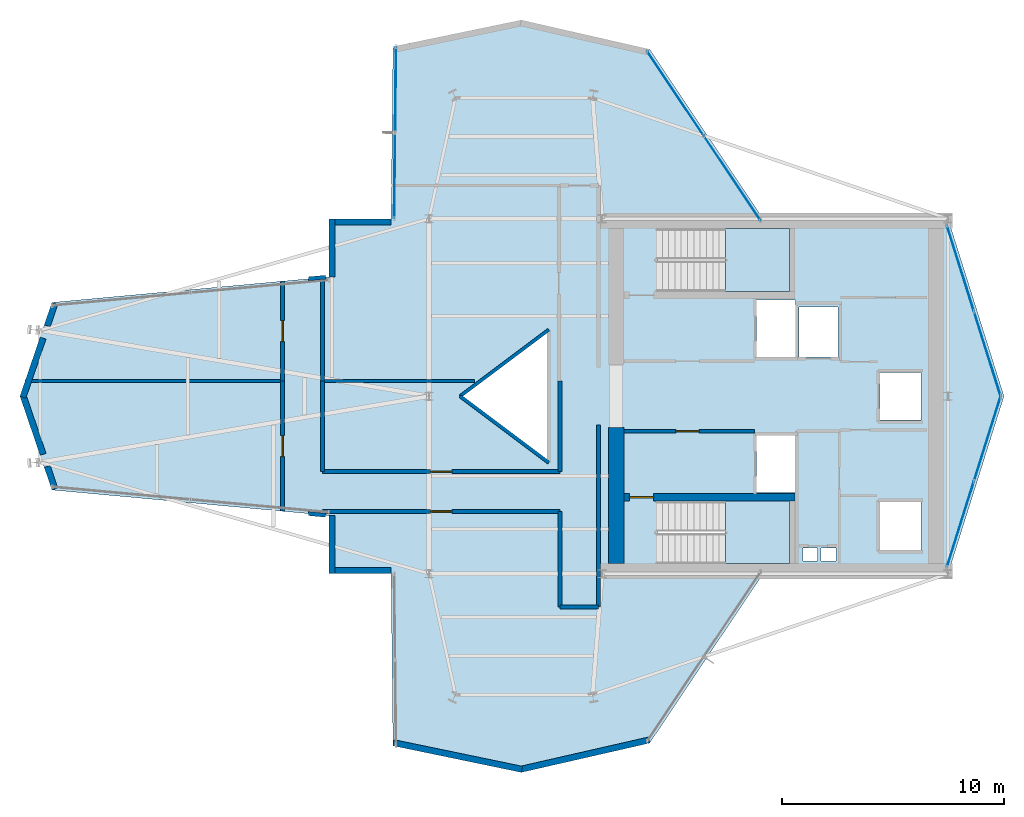
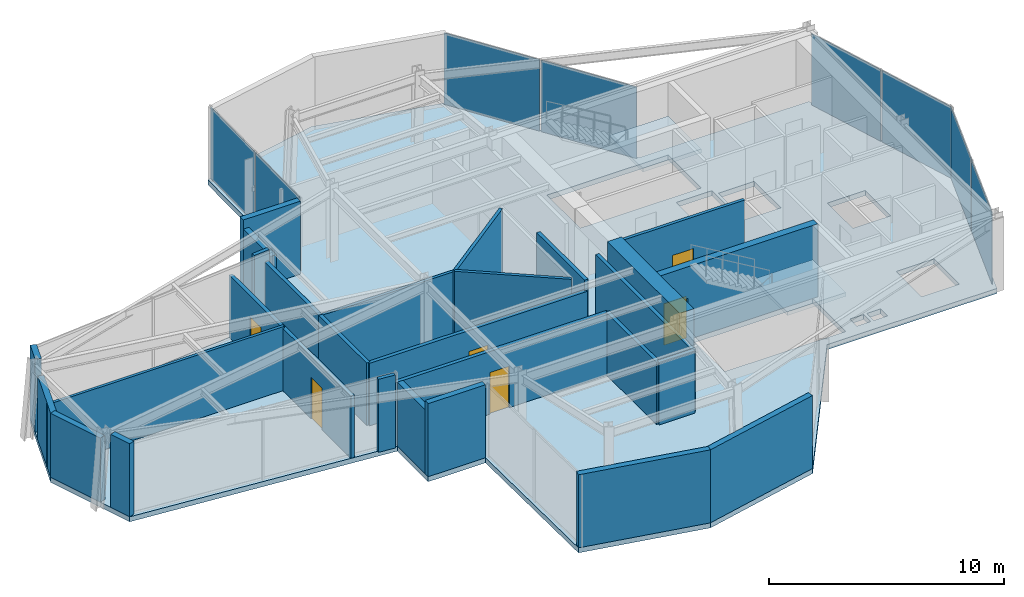
# One storey, part 18 of 21: 29 walls, 8 plates, 6 doors, 3 slabs, 6 openings, 6 elements without a shape of their own.
"""IFC4 building model written with IfcOpenShell, lengths in metres."""

import ifcopenshell
import ifcopenshell.guid

model = None  # the IFC model being written
_history = None  # IfcOwnerHistory: only IFC2X3 demands one
_inside = {}  # id of a spatial element -> (the spatial element, [elements in it])
_under = {}  # id of a project, library or spatial element -> (it, [spatial elements below it])
_declared = {}  # id of a project -> (the project, [libraries it declares])
_typed = {}  # id of a type object -> (the type object, [elements of that type])
_made_of = {}  # id of a material, layer set ... -> (it, [elements and type objects made of it])


def new_model(schema):
    """Start an empty IFC model of exactly this schema.

    Asked for "IFC4X3", IfcOpenShell would pick the latest addendum, in which some entities
    have other attributes; the version numbers below select the first issue.
    IFC2X3 requires an IfcOwnerHistory on every rooted entity: one is made here for all.
    """
    global model, _history
    if schema == "IFC4X3":
        model = ifcopenshell.file(schema_version=(4, 3, 0, 0))
    else:
        model = ifcopenshell.file(schema=schema)
    _inside.clear()
    _under.clear()
    _declared.clear()
    _typed.clear()
    _made_of.clear()
    _history = None
    if model.schema == "IFC2X3":
        org = make("IfcOrganization", Name="unknown")
        user = make(
            "IfcPersonAndOrganization",
            ThePerson=make("IfcPerson", FamilyName="unknown"),
            TheOrganization=org,
        )
        app = make(
            "IfcApplication",
            ApplicationDeveloper=org,
            Version="unknown",
            ApplicationFullName="unknown",
            ApplicationIdentifier="unknown",
        )
        _history = make(
            "IfcOwnerHistory",
            OwningUser=user,
            OwningApplication=app,
            ChangeAction="ADDED",
            CreationDate=0,
        )
    return model


def make(cls, **values):
    """One entity of the class cls with the attributes given. An attribute that is None is left unset."""
    return model.create_entity(
        cls, **{name: value for name, value in values.items() if value is not None}
    )


def rooted(cls, **values):
    """An entity with a GlobalId (a new one), such as an element, a storey or a relation."""
    return make(cls, GlobalId=ifcopenshell.guid.new(), OwnerHistory=_history, **values)


def si_unit(unit_type, name, prefix=None):
    """IfcSIUnit, for example si_unit("LENGTHUNIT", "METRE", prefix="MILLI")."""
    return make("IfcSIUnit", UnitType=unit_type, Prefix=prefix, Name=name)


def assignment(units):
    """IfcUnitAssignment: the units of a project."""
    return None if units is None else make("IfcUnitAssignment", Units=units)


def point(xyz):
    """IfcCartesianPoint."""
    return None if xyz is None else make("IfcCartesianPoint", Coordinates=xyz)


def direction(xyz):
    """IfcDirection."""
    return None if xyz is None else make("IfcDirection", DirectionRatios=xyz)


def frame(location, z_axis=None, x_axis=None):
    """IfcAxis2Placement3D, a coordinate frame: its origin and axes. An axis left out is left unset."""
    return make(
        "IfcAxis2Placement3D",
        Location=point(location),
        Axis=direction(z_axis),
        RefDirection=direction(x_axis),
    )


def frame_2d(location, x_axis=None):
    """IfcAxis2Placement2D, a coordinate frame in the plane: its origin and x axis."""
    return make(
        "IfcAxis2Placement2D", Location=point(location), RefDirection=direction(x_axis)
    )


def origin():
    """The frame at (0, 0, 0) with its axes left unset."""
    return frame((0.0, 0.0, 0.0))


def origin_2d():
    """The frame at (0, 0) in the plane with its x axis left unset."""
    return frame_2d((0.0, 0.0))


def place(relative_to, where):
    """IfcLocalPlacement: puts the frame where relative to a parent placement (None: the world)."""
    return make(
        "IfcLocalPlacement", PlacementRelTo=relative_to, RelativePlacement=where
    )


def context(
    kind, dimensions, precision=None, world=None, true_north=None, identifier=None
):
    """IfcGeometricRepresentationContext, for example the 3D "Model" context."""
    return make(
        "IfcGeometricRepresentationContext",
        ContextIdentifier=identifier,
        ContextType=kind,
        CoordinateSpaceDimension=dimensions,
        Precision=precision,
        WorldCoordinateSystem=world,
        TrueNorth=true_north,
    )


def subcontext(parent, identifier, kind, view, scale=None):
    """IfcGeometricRepresentationSubContext, for example "Body" below "Model"."""
    return make(
        "IfcGeometricRepresentationSubContext",
        ContextIdentifier=identifier,
        ContextType=kind,
        ParentContext=parent,
        TargetScale=scale,
        TargetView=view,
    )


def project(units=None, contexts=None):
    """IfcProject with its units and contexts."""
    return rooted(
        "IfcProject",
        Name="project",
        RepresentationContexts=contexts,
        UnitsInContext=assignment(units),
    )


def spatial(cls, under=None, at=None, **own):
    """A site, building, storey or space (cls), placed at a placement, below another one or the project."""
    s = rooted(cls, ObjectPlacement=at, **own)
    if under is not None:
        _under.setdefault(under.id(), (under, []))[1].append(s)
    return s


def polyline(points):
    """IfcPolyline through the points."""
    return make("IfcPolyline", Points=[point(p) for p in points])


def profile(cls, at=None, kind="AREA", **sizes):
    """A parametric profile (cls). Its sizes go by their IFC names, for example OverallWidth=200.0."""
    return make(cls, ProfileType=kind, Position=at, **sizes)


def rectangle(**sizes):
    """IfcRectangleProfileDef."""
    return profile("IfcRectangleProfileDef", **sizes)


def outline(outer, holes=None, kind="AREA"):
    """IfcArbitraryClosedProfileDef: a profile drawn as a closed curve; with holes, ...WithVoids."""
    if holes is None:
        return make("IfcArbitraryClosedProfileDef", ProfileType=kind, OuterCurve=outer)
    return make(
        "IfcArbitraryProfileDefWithVoids",
        ProfileType=kind,
        OuterCurve=outer,
        InnerCurves=holes,
    )


def extrude(swept, where, along, depth):
    """IfcExtrudedAreaSolid: the profile swept, set in the frame where, extruded along a direction by depth."""
    return make(
        "IfcExtrudedAreaSolid",
        SweptArea=swept,
        Position=where,
        ExtrudedDirection=direction(along),
        Depth=depth,
    )


def shape(context_of_items, identifier, shape_type, items):
    """IfcShapeRepresentation: the items that make up one representation, for example the "Body"."""
    return make(
        "IfcShapeRepresentation",
        ContextOfItems=context_of_items,
        RepresentationIdentifier=identifier,
        RepresentationType=shape_type,
        Items=items,
    )


def material(Name=None, Category=None):
    """IfcMaterial."""
    return make("IfcMaterial", Name=Name, Category=Category)


def layer(
    of_material, thickness, ventilated=None, Name=None, Category=None, Priority=None
):
    """IfcMaterialLayer: one layer of a wall or slab, of a material (None: an air gap)."""
    return make(
        "IfcMaterialLayer",
        Material=of_material,
        LayerThickness=thickness,
        IsVentilated=ventilated,
        Name=Name,
        Category=Category,
        Priority=Priority,
    )


def layer_set(layers, Name=None):
    """IfcMaterialLayerSet."""
    return make("IfcMaterialLayerSet", MaterialLayers=layers, LayerSetName=Name)


def made_of(thing, what):
    """Note that an element or type object is made of a material, layer set ...; save() writes the relation."""
    if what is not None:
        _made_of.setdefault(what.id(), (what, []))[1].append(thing)
    return thing


def type_object(cls, material=None, **own):
    """A type object (cls), such as IfcWallType, which elements share."""
    return made_of(rooted(cls, **own), material)


def element(
    cls,
    number,
    at=None,
    inside=None,
    cuts=None,
    type_object=None,
    material=None,
    context=None,
    identifier="Body",
    shape_type=None,
    held_by="IfcProductDefinitionShape",
    body=None,
    shapes=None,
    **own,
):
    """One element of the class cls, such as IfcWall. Its Tag is "e" and its number.

    at: its placement. inside: the storey or other place that contains it. cuts: it is an
    opening in that element (IfcRelVoidsElement). A single representation is given by context,
    identifier, shape_type and body (its items); several are given by shapes. held_by: the class
    of the entity that holds the representations. save() writes the other relations.
    """
    e = rooted(cls, Tag="e%d" % number, ObjectPlacement=at, **own)
    if body is not None:
        shapes = [shape(context, identifier, shape_type, body)]
    if shapes is not None:
        e.Representation = make(held_by, Representations=shapes)
    if inside is not None:
        _inside.setdefault(inside.id(), (inside, []))[1].append(e)
    if cuts is not None:
        rooted(
            "IfcRelVoidsElement", RelatingBuildingElement=cuts, RelatedOpeningElement=e
        )
    if type_object is not None:
        _typed.setdefault(type_object.id(), (type_object, []))[1].append(e)
    return made_of(e, material)


def fill(opening, filler):
    """IfcRelFillsElement: the door or window that sits in an opening."""
    return rooted(
        "IfcRelFillsElement",
        RelatingOpeningElement=opening,
        RelatedBuildingElement=filler,
    )


def aggregate(whole, parts):
    """IfcRelAggregates: a whole, such as a stair, and the parts it consists of."""
    return rooted("IfcRelAggregates", RelatingObject=whole, RelatedObjects=parts)


def save(model, path):
    """Write the relations noted so far, then the file.

    IfcRelAggregates (storeys below a building ...), IfcRelContainedInSpatialStructure (elements
    in a storey), IfcRelDefinesByType, IfcRelAssociatesMaterial and IfcRelDeclares: one each for
    every whole, place, type object, material and project.
    """
    for whole, parts in _under.values():
        aggregate(whole, parts)
    for where, things in _inside.values():
        rooted(
            "IfcRelContainedInSpatialStructure",
            RelatedElements=things,
            RelatingStructure=where,
        )
    for kind, things in _typed.values():
        rooted("IfcRelDefinesByType", RelatedObjects=things, RelatingType=kind)
    for what, things in _made_of.values():
        rooted("IfcRelAssociatesMaterial", RelatedObjects=things, RelatingMaterial=what)
    for by, libraries in _declared.values():
        rooted("IfcRelDeclares", RelatingContext=by, RelatedDefinitions=libraries)
    model.write(path)


model = new_model("IFC4")

# Units and contexts
model_context = context("Model", 3, precision=1e-05, world=origin(), true_north=direction((0.0, 1.0)))
body_context = subcontext(model_context, "Body", "Model", "MODEL_VIEW")
ifc_project = project(units=[si_unit("LENGTHUNIT", "METRE"), si_unit("AREAUNIT", "SQUARE_METRE"), si_unit("VOLUMEUNIT", "CUBIC_METRE"), si_unit("PLANEANGLEUNIT", "RADIAN"), si_unit("MASSUNIT", "GRAM", prefix="KILO")], contexts=[model_context])

# Site, building, storey
site_placement = place(None, origin())
site = spatial("IfcSite", under=ifc_project, at=site_placement, CompositionType="ELEMENT")
building_placement = place(site_placement, origin())
building = spatial("IfcBuilding", under=site, at=building_placement, Name="Veymaron Broadcast Tower", CompositionType="ELEMENT")
storey_placement = place(building_placement, frame((0.0, 0.0, 212.10009765625)))
storey = spatial("IfcBuildingStorey", under=building, at=storey_placement, Name="L49", CompositionType="ELEMENT", Elevation=212.10009765625)

# Curtain wall, plates
ifc_material_1 = material(Name="Anodised aluminium AA 6063-T6 and laminated low-E dark glass", Category="aluminium")
ifc_layer_1 = layer(ifc_material_1, 0.179931640625)
ifc_layer_set_1 = layer_set([ifc_layer_1], Name="Anodised aluminium AA 6063-T6 and laminated low-E dark glass")
curtain_wall_type = type_object("IfcCurtainWallType", Name="CW-SYS-05", PredefinedType="NOTDEFINED", material=ifc_layer_set_1)
curtain_wall_1_placement = place(storey_placement, origin())
curtain_wall_1 = element("IfcCurtainWall", 1, at=curtain_wall_1_placement, inside=storey, type_object=curtain_wall_type, Name="L49 dark-glass curtain wall CW-L49-E2-1", PredefinedType="NOTDEFINED")
ifc_material_2 = material(Name="Double-silver solar-control dark glass IGU 32 mm", Category="glass")
ifc_layer_2 = layer(ifc_material_2, 0.031982421875)
ifc_layer_set_2 = layer_set([ifc_layer_2], Name="Double-silver solar-control dark glass IGU 32 mm")
plate_type = type_object("IfcPlateType", Name="CW-PNL-02", PredefinedType="CURTAIN_PANEL", material=ifc_layer_set_2)
plate_1_placement = place(storey_placement, frame((55.154296875, 18.225341796875, 0.0400390625), z_axis=(0.0, 0.0, 1.0), x_axis=(0.300456106688, 0.953795642658, 0.0)))
plate_1 = element("IfcPlate", 2, at=plate_1_placement, type_object=plate_type, Name="CW-L49-E2-1 unitised curtain panel 0", PredefinedType="CURTAIN_PANEL", context=body_context, shape_type="SweptSolid", body=[
    extrude(rectangle(XDim=4.005615234375, YDim=0.031982421875, at=origin_2d()), origin(), (0.0, 0.0, 1.0), 3.7099609375),
])
plate_2_placement = place(storey_placement, frame((56.375732421875, 22.10302734375, 0.0400390625), z_axis=(0.0, 0.0, 1.0), x_axis=(0.300456106688, 0.953795642658, 0.0)))
plate_2 = element("IfcPlate", 3, at=plate_2_placement, type_object=plate_type, Name="CW-L49-E2-1 unitised curtain panel 1", PredefinedType="CURTAIN_PANEL", context=body_context, shape_type="SweptSolid", body=[
    extrude(rectangle(XDim=4.005615234375, YDim=0.031982421875, at=origin_2d()), origin(), (0.0, 0.0, 1.0), 3.7099609375),
])
aggregate(curtain_wall_1, [plate_1, plate_2])

curtain_wall_2_placement = place(storey_placement, origin())
curtain_wall_2 = element("IfcCurtainWall", 4, at=curtain_wall_2_placement, inside=storey, type_object=curtain_wall_type, Name="L49 dark-glass curtain wall CW-L49-E3-1", PredefinedType="NOTDEFINED")
plate_3_placement = place(storey_placement, frame((56.375732421875, 25.89697265625, 0.0400390625), z_axis=(0.0, 0.0, 1.0), x_axis=(-0.300456106688, 0.953795642658, 0.0)))
plate_3 = element("IfcPlate", 5, at=plate_3_placement, type_object=plate_type, Name="CW-L49-E3-1 unitised curtain panel 0", PredefinedType="CURTAIN_PANEL", context=body_context, shape_type="SweptSolid", body=[
    extrude(rectangle(XDim=4.005615234375, YDim=0.031982421875, at=origin_2d()), origin(), (0.0, 0.0, 1.0), 3.7099609375),
])
plate_4_placement = place(storey_placement, frame((55.154296875, 29.774658203125, 0.0400390625), z_axis=(0.0, 0.0, 1.0), x_axis=(-0.300456106688, 0.953795642658, 0.0)))
plate_4 = element("IfcPlate", 6, at=plate_4_placement, type_object=plate_type, Name="CW-L49-E3-1 unitised curtain panel 1", PredefinedType="CURTAIN_PANEL", context=body_context, shape_type="SweptSolid", body=[
    extrude(rectangle(XDim=4.005615234375, YDim=0.031982421875, at=origin_2d()), origin(), (0.0, 0.0, 1.0), 3.7099609375),
])
aggregate(curtain_wall_2, [plate_3, plate_4])

curtain_wall_3_placement = place(storey_placement, origin())
curtain_wall_3 = element("IfcCurtainWall", 7, at=curtain_wall_3_placement, inside=storey, type_object=curtain_wall_type, Name="L49 dark-glass curtain wall CW-L49-E5-1", PredefinedType="NOTDEFINED")
plate_5_placement = place(storey_placement, frame((44.867919921875, 33.83203125, 0.0400390625), z_axis=(0.0, 0.0, 1.0), x_axis=(-0.556658147909, 0.830741660426, 0.0)))
plate_5 = element("IfcPlate", 8, at=plate_5_placement, type_object=plate_type, Name="CW-L49-E5-1 unitised curtain panel 0", PredefinedType="CURTAIN_PANEL", context=body_context, shape_type="SweptSolid", body=[
    extrude(rectangle(XDim=4.538330078125, YDim=0.031982421875, at=origin_2d()), origin(), (0.0, 0.0, 1.0), 3.7099609375),
])
plate_6_placement = place(storey_placement, frame((42.30810546875, 37.652099609375, 0.0400390625), z_axis=(0.0, 0.0, 1.0), x_axis=(-0.556658147909, 0.830741660426, 0.0)))
plate_6 = element("IfcPlate", 9, at=plate_6_placement, type_object=plate_type, Name="CW-L49-E5-1 unitised curtain panel 1", PredefinedType="CURTAIN_PANEL", context=body_context, shape_type="SweptSolid", body=[
    extrude(rectangle(XDim=4.538330078125, YDim=0.031982421875, at=origin_2d()), origin(), (0.0, 0.0, 1.0), 3.7099609375),
])
aggregate(curtain_wall_3, [plate_5, plate_6])

curtain_wall_4_placement = place(storey_placement, origin())
curtain_wall_4 = element("IfcCurtainWall", 10, at=curtain_wall_4_placement, inside=storey, type_object=curtain_wall_type, Name="L49 dark-glass curtain wall CW-L49-E8-1", PredefinedType="NOTDEFINED")
plate_7_placement = place(storey_placement, frame((29.69384765625, 37.818359375, 0.0400390625), z_axis=(0.0, 0.0, 1.0), x_axis=(-0.011152422724, -0.9999378098, 0.0)))
plate_7 = element("IfcPlate", 11, at=plate_7_placement, type_object=plate_type, Name="CW-L49-E8-1 unitised curtain panel 0", PredefinedType="CURTAIN_PANEL", context=body_context, shape_type="SweptSolid", body=[
    extrude(rectangle(XDim=3.8203125, YDim=0.031982421875, at=origin_2d()), origin(), (0.0, 0.0, 1.0), 3.7099609375),
])
plate_8_placement = place(storey_placement, frame((29.650634765625, 33.9384765625, 0.0400390625), z_axis=(0.0, 0.0, 1.0), x_axis=(-0.011152422724, -0.9999378098, 0.0)))
plate_8 = element("IfcPlate", 12, at=plate_8_placement, type_object=plate_type, Name="CW-L49-E8-1 unitised curtain panel 1", PredefinedType="CURTAIN_PANEL", context=body_context, shape_type="SweptSolid", body=[
    extrude(rectangle(XDim=3.8203125, YDim=0.031982421875, at=origin_2d()), origin(), (0.0, 0.0, 1.0), 3.7099609375),
])
aggregate(curtain_wall_4, [plate_7, plate_8])

# Slab
ifc_material_3 = material(Name="Concrete C40/50", Category="concrete")
ifc_layer_3 = layer(ifc_material_3, 0.260009765625)
ifc_layer_set_3 = layer_set([ifc_layer_3], Name="Concrete C40/50")
slab_type_1 = type_object("IfcSlabType", Name="SLAB-FS5", PredefinedType="FLOOR", material=ifc_layer_set_3)
slab_1_placement = place(storey_placement, frame((0.0, 0.0, -0.260009765625)))
element("IfcSlab", 13, at=slab_1_placement, inside=storey, type_object=slab_type_1, Name="L49 structural floor slab", PredefinedType="FLOOR", context=body_context, shape_type="SweptSolid", body=[
    extrude(outline(polyline([(46.263916015625, 16.0), (54.60009765625, 16.0), (57.1201171875, 24.0), (54.60009765625, 32.0), (46.263916015625, 32.0), (41.14453125, 39.639892578125), (35.360107421875, 40.9599609375), (29.575439453125, 39.760009765625), (29.489013671875, 32.0), (26.679931640625, 32.0), (26.679931640625, 29.377685546875), (14.199951171875, 28.22705078125), (12.760009765625, 24.0), (14.199951171875, 19.77294921875), (26.679931640625, 18.622314453125), (26.679931640625, 16.0), (29.489013671875, 16.0), (29.575439453125, 8.239990234375), (35.360107421875, 7.0400390625), (41.14453125, 8.360107421875), (46.263916015625, 16.0)]), holes=[polyline([(45.969970703125, 28.330078125), (47.72998046875, 28.330078125), (47.72998046875, 25.77001953125), (45.969970703125, 25.77001953125), (45.969970703125, 28.330078125)]), polyline([(45.969970703125, 22.22998046875), (47.72998046875, 22.22998046875), (47.72998046875, 19.669921875), (45.969970703125, 19.669921875), (45.969970703125, 22.22998046875)]), polyline([(47.8701171875, 28.030029296875), (49.6298828125, 28.030029296875), (49.6298828125, 25.77001953125), (47.8701171875, 25.77001953125), (47.8701171875, 28.030029296875)]), polyline([(51.52001953125, 25.080078125), (53.3798828125, 25.080078125), (53.3798828125, 22.919921875), (51.52001953125, 22.919921875), (51.52001953125, 25.080078125)]), polyline([(51.52001953125, 19.22998046875), (53.3798828125, 19.22998046875), (53.3798828125, 17.070068359375), (51.52001953125, 17.070068359375), (51.52001953125, 19.22998046875)]), polyline([(48.050048828125, 17.159912109375), (48.719970703125, 17.159912109375), (48.719970703125, 16.56005859375), (48.050048828125, 16.56005859375), (48.050048828125, 17.159912109375)]), polyline([(48.8798828125, 17.159912109375), (49.550048828125, 17.159912109375), (49.550048828125, 16.56005859375), (48.8798828125, 16.56005859375), (48.8798828125, 17.159912109375)]), polyline([(36.60009765625, 27.0), (36.60009765625, 21.0), (32.60009765625, 24.0), (36.60009765625, 27.0)]), polyline([(41.489990234375, 31.550048828125), (47.43994140625, 31.550048828125), (47.43994140625, 28.72998046875), (41.489990234375, 28.72998046875), (41.489990234375, 31.550048828125)]), polyline([(41.489990234375, 19.27001953125), (47.43994140625, 19.27001953125), (47.43994140625, 16.449951171875), (41.489990234375, 16.449951171875), (41.489990234375, 19.27001953125)])]), origin(), (0.0, 0.0, 1.0), 0.260009765625),
])

# Stair, slab
ifc_material_4 = material(Name="Concrete C50/60", Category="concrete")
stair_type_1 = type_object("IfcStairType", Name="STAIR-CORE-1", PredefinedType="HALF_TURN_STAIR", material=ifc_material_4)
stair_1_placement = place(storey_placement, origin())
stair_1 = element("IfcStair", 14, at=stair_1_placement, inside=storey, type_object=stair_type_1, Name="L49 North protected dog-leg exit stair ST1", PredefinedType="HALF_TURN_STAIR")
ifc_layer_4 = layer(ifc_material_4, 0.199951171875)
ifc_layer_set_4 = layer_set([ifc_layer_4], Name="Concrete C50/60")
slab_type_2 = type_object("IfcSlabType", Name="SLAB-STAIR-LDG", PredefinedType="LANDING", material=ifc_layer_set_4)
slab_2_placement = place(storey_placement, frame((0.0, 0.0, 1.824951171875)))
slab_2 = element("IfcSlab", 15, at=slab_2_placement, type_object=slab_type_2, Name="ST1 landing 1", PredefinedType="LANDING", context=body_context, shape_type="SweptSolid", body=[
    extrude(outline(polyline([(44.56494140625, 28.72998046875), (47.43994140625, 28.72998046875), (47.43994140625, 31.550048828125), (44.56494140625, 31.550048828125), (44.56494140625, 28.72998046875)])), origin(), (0.0, 0.0, 1.0), 0.199951171875),
])
aggregate(stair_1, [slab_2])

stair_type_2 = type_object("IfcStairType", Name="STAIR-CORE-2", PredefinedType="HALF_TURN_STAIR", material=ifc_material_4)
stair_2_placement = place(storey_placement, origin())
stair_2 = element("IfcStair", 16, at=stair_2_placement, inside=storey, type_object=stair_type_2, Name="L49 South protected dog-leg exit stair ST2", PredefinedType="HALF_TURN_STAIR")
slab_3_placement = place(storey_placement, frame((0.0, 0.0, 1.824951171875)))
slab_3 = element("IfcSlab", 17, at=slab_3_placement, type_object=slab_type_2, Name="ST2 landing 1", PredefinedType="LANDING", context=body_context, shape_type="SweptSolid", body=[
    extrude(outline(polyline([(44.56494140625, 16.449951171875), (47.43994140625, 16.449951171875), (47.43994140625, 19.27001953125), (44.56494140625, 19.27001953125), (44.56494140625, 16.449951171875)])), origin(), (0.0, 0.0, 1.0), 0.199951171875),
])
aggregate(stair_2, [slab_3])

# Walls
ifc_material_5 = material(Name="Precast concrete C40/50", Category="concrete")
ifc_layer_5 = layer(ifc_material_5, 0.280029296875)
ifc_layer_set_5 = layer_set([ifc_layer_5], Name="Precast concrete C40/50")
wall_type_1 = type_object("IfcWallType", Name="WALL-EXT-280", PredefinedType="STANDARD", material=ifc_layer_set_5)
wall_1_placement = place(storey_placement, frame((29.489013671875, 31.860107421875, 0.0), z_axis=(0.0, 0.0, 1.0), x_axis=(-1.0, 0.0, 0.0)))
element("IfcWall", 18, at=wall_1_placement, inside=storey, type_object=wall_type_1, Name="L49 notched corner facade pier 9-1", PredefinedType="STANDARD", context=body_context, shape_type="SweptSolid", body=[
    extrude(rectangle(XDim=2.80908203125, YDim=0.280029296875, at=frame_2d((1.404541015625, 0.0))), origin(), (0.0, 0.0, 1.0), 3.789794921875),
])
wall_2_placement = place(storey_placement, frame((26.820068359375, 32.0, 0.0), z_axis=(0.0, 0.0, 1.0), x_axis=(0.0, -1.0, 0.0)))
element("IfcWall", 19, at=wall_2_placement, inside=storey, type_object=wall_type_1, Name="L49 notched corner facade pier 10-1", PredefinedType="STANDARD", context=body_context, shape_type="SweptSolid", body=[
    extrude(rectangle(XDim=2.622314453125, YDim=0.280029296875, at=frame_2d((1.31103515625, 0.0))), origin(), (0.0, 0.0, 1.0), 3.31884765625),
])
wall_3_placement = place(storey_placement, frame((14.33251953125, 28.181884765625, 0.0), z_axis=(0.0, 0.0, 1.0), x_axis=(-0.322534198724, -0.946557811575, 0.0)))
element("IfcWall", 20, at=wall_3_placement, inside=storey, type_object=wall_type_1, Name="L49 notched corner facade pier 12-1", PredefinedType="STANDARD", context=body_context, shape_type="SweptSolid", body=[
    extrude(rectangle(XDim=1.0673828125, YDim=0.280029296875, at=frame_2d((0.53369140625, 0.0))), origin(), (0.0, 0.0, 1.0), 3.789794921875),
])
for number, where, z_axis, x_axis, name in (
    (21, (13.801025390625, 26.6220703125, 0.0), (0.0, 0.0, 1.0), (-0.322407523514, -0.946600965973, 0.0), "L49 notched corner facade pier 12-2"),
    (22, (12.892578125, 24.045166015625, 0.0), (0.0, 0.0, 1.0), (0.322407523514, -0.946600965973, 0.0), "L49 notched corner facade pier 13-1"),
):
    element("IfcWall", number, at=place(storey_placement, frame(where, z_axis=z_axis, x_axis=x_axis)), inside=storey, type_object=wall_type_1, Name=name, PredefinedType="STANDARD", context=body_context, shape_type="SweptSolid", body=[
        extrude(rectangle(XDim=2.817626953125, YDim=0.280029296875, at=frame_2d((1.40869140625, 0.0))), origin(), (0.0, 0.0, 1.0), 3.31884765625),
    ])
wall_4_placement = place(storey_placement, frame((13.98828125, 20.828369140625, 0.0), z_axis=(0.0, 0.0, 1.0), x_axis=(0.322534198724, -0.946557811575, 0.0)))
element("IfcWall", 23, at=wall_4_placement, inside=storey, type_object=wall_type_1, Name="L49 notched corner facade pier 13-2", PredefinedType="STANDARD", context=body_context, shape_type="SweptSolid", body=[
    extrude(rectangle(XDim=1.0673828125, YDim=0.280029296875, at=frame_2d((0.53369140625, 0.0))), origin(), (0.0, 0.0, 1.0), 3.789794921875),
])
wall_5_placement = place(storey_placement, frame((26.820068359375, 18.622314453125, 0.0), z_axis=(0.0, 0.0, 1.0), x_axis=(0.0, -1.0, 0.0)))
element("IfcWall", 24, at=wall_5_placement, inside=storey, type_object=wall_type_1, Name="L49 notched corner facade pier 15-1", PredefinedType="STANDARD", context=body_context, shape_type="SweptSolid", body=[
    extrude(rectangle(XDim=2.622314453125, YDim=0.280029296875, at=frame_2d((1.31103515625, 0.0))), origin(), (0.0, 0.0, 1.0), 3.31884765625),
])
wall_6_placement = place(storey_placement, frame((26.679931640625, 16.139892578125, 0.0), z_axis=(0.0, 0.0, 1.0), x_axis=(1.0, 0.0, 0.0)))
element("IfcWall", 25, at=wall_6_placement, inside=storey, type_object=wall_type_1, Name="L49 notched corner facade pier 16-1", PredefinedType="STANDARD", context=body_context, shape_type="SweptSolid", body=[
    extrude(rectangle(XDim=2.80908203125, YDim=0.280029296875, at=frame_2d((1.404541015625, 0.0))), origin(), (0.0, 0.0, 1.0), 3.789794921875),
])
wall_7_placement = place(storey_placement, frame((29.60400390625, 8.377197265625, 0.0), z_axis=(0.0, 0.0, 1.0), x_axis=(0.979145472124, -0.203160390873, 0.0)))
element("IfcWall", 26, at=wall_7_placement, inside=storey, type_object=wall_type_1, Name="L49 notched corner facade pier 18-1", PredefinedType="STANDARD", context=body_context, shape_type="SweptSolid", body=[
    extrude(rectangle(XDim=5.90771484375, YDim=0.280029296875, at=frame_2d((2.953857421875, 0.0))), origin(), (0.0, 0.0, 1.0), 3.789794921875),
])
wall_8_placement = place(storey_placement, frame((35.328857421875, 7.176513671875, 0.0), z_axis=(0.0, 0.0, 1.0), x_axis=(0.974934808954, 0.222490715064, 0.0)))
element("IfcWall", 27, at=wall_8_placement, inside=storey, type_object=wall_type_1, Name="L49 notched corner facade pier 19-1", PredefinedType="STANDARD", context=body_context, shape_type="SweptSolid", body=[
    extrude(rectangle(XDim=5.93310546875, YDim=0.280029296875, at=frame_2d((2.966552734375, 0.0))), origin(), (0.0, 0.0, 1.0), 3.789794921875),
])

# Wall, opening, door
ifc_material_6 = material(Name="Gypsum fireboard and steel stud framing", Category="steel")
ifc_layer_6 = layer(ifc_material_6, 0.14990234375)
ifc_layer_set_6 = layer_set([ifc_layer_6], Name="Gypsum fireboard and steel stud framing")
wall_type_2 = type_object("IfcWallType", Name="WALL-FIRE-150", PredefinedType="PARTITIONING", material=ifc_layer_set_6)
wall_9_placement = place(storey_placement, frame((39.97998046875, 22.425048828125, 0.0), z_axis=(0.0, 0.0, 1.0), x_axis=(1.0, 0.0, 0.0)))
wall_9 = element("IfcWall", 28, at=wall_9_placement, inside=storey, type_object=wall_type_2, Name="L49 partition IW-L49-FFLS-N", PredefinedType="PARTITIONING", context=body_context, shape_type="SweptSolid", body=[
    extrude(rectangle(XDim=5.89990234375, YDim=0.14990234375, at=frame_2d((2.949951171875, 0.0))), origin(), (0.0, 0.0, 1.0), 3.789794921875),
])
opening_1_placement = place(wall_9_placement, frame((2.35009765625, 0.0, 0.0)))
opening_1 = element("IfcOpeningElement", 29, at=opening_1_placement, cuts=wall_9, Name="Opening ID-FL1", PredefinedType="OPENING", context=body_context, shape_type="SweptSolid", body=[
    extrude(rectangle(XDim=1.050048828125, YDim=2.14990234375, at=frame_2d((0.52490234375, 1.074951171875))), frame((0.0, 0.0849609375, 0.0), z_axis=(0.0, -1.0, 0.0), x_axis=(1.0, 0.0, 0.0)), (0.0, 0.0, 1.0), 0.169921875),
])
ifc_material_7 = material(Name="Fire-rated painted hollow steel ASTM A653", Category="steel")
door_type_1 = type_object("IfcDoorType", Name="DOOR-FIRE-1050", OperationType="NOTDEFINED", PredefinedType="DOOR", material=ifc_material_7)
door_1_placement = place(opening_1_placement, frame((1.050048828125, 0.0, 0.0), z_axis=(0.0, 0.0, 1.0), x_axis=(-1.0, 0.0, 0.0)))
door_1 = element("IfcDoor", 30, at=door_1_placement, inside=storey, type_object=door_type_1, Name="L49 door DR-L49-FFLS", OperationType="SINGLE_SWING_RIGHT", OverallHeight=2.14990234375, OverallWidth=1.050048828125, PredefinedType="DOOR", context=body_context, shape_type="SweptSolid", body=[
    extrude(rectangle(XDim=1.050048828125, YDim=2.14990234375, at=frame_2d((0.52490234375, 1.074951171875))), frame((0.0, 0.02490234375, 0.0), z_axis=(0.0, -1.0, 0.0), x_axis=(1.0, 0.0, 0.0)), (0.0, 0.0, 1.0), 0.050048828125),
])
fill(opening_1, door_1)

ifc_layer_7 = layer(ifc_material_3, 0.179931640625)
ifc_layer_set_7 = layer_set([ifc_layer_7], Name="Concrete C40/50")
wall_type_3 = type_object("IfcWallType", Name="WALL-FIRE-180", PredefinedType="SOLIDWALL", material=ifc_layer_set_7)
wall_10_placement = place(storey_placement, frame((26.39990234375, 18.800048828125, 0.0), z_axis=(0.0, 0.0, 1.0), x_axis=(1.0, 0.0, 0.0)))
wall_10 = element("IfcWall", 31, at=wall_10_placement, inside=storey, type_object=wall_type_3, Name="L49 partition IW-L49-P01", PredefinedType="SOLIDWALL", context=body_context, shape_type="SweptSolid", body=[
    extrude(rectangle(XDim=10.7001953125, YDim=0.179931640625, at=frame_2d((5.35009765625, 0.0))), origin(), (0.0, 0.0, 1.0), 3.240966796875),
])
opening_2_placement = place(wall_10_placement, frame((4.875, 0.0, 0.0)))
opening_2 = element("IfcOpeningElement", 32, at=opening_2_placement, cuts=wall_10, Name="Opening ID-RM1", PredefinedType="OPENING", context=body_context, shape_type="SweptSolid", body=[
    extrude(rectangle(XDim=0.949951171875, YDim=2.14990234375, at=frame_2d((0.47509765625, 1.074951171875))), frame((0.0, 0.10009765625, 0.0), z_axis=(0.0, -1.0, 0.0), x_axis=(1.0, 0.0, 0.0)), (0.0, 0.0, 1.0), 0.199951171875),
])
ifc_material_8 = material(Name="Acoustic solid-core European oak veneer timber", Category="wood")
door_type_2 = type_object("IfcDoorType", Name="DOOR-INT-950", OperationType="NOTDEFINED", PredefinedType="DOOR", material=ifc_material_8)
door_2_placement = place(opening_2_placement, frame((0.949951171875, 0.0, 0.0), z_axis=(0.0, 0.0, 1.0), x_axis=(-1.0, 0.0, 0.0)))
door_2 = element("IfcDoor", 33, at=door_2_placement, inside=storey, type_object=door_type_2, Name="L49 door DR-L49-P01", OperationType="SINGLE_SWING_RIGHT", OverallHeight=2.14990234375, OverallWidth=0.949951171875, PredefinedType="DOOR", context=body_context, shape_type="SweptSolid", body=[
    extrude(rectangle(XDim=0.949951171875, YDim=2.14990234375, at=frame_2d((0.47509765625, 1.074951171875))), frame((0.0, 0.02490234375, 0.0), z_axis=(0.0, -1.0, 0.0), x_axis=(1.0, 0.0, 0.0)), (0.0, 0.0, 1.0), 0.050048828125),
])
fill(opening_2, door_2)

wall_11_placement = place(storey_placement, frame((24.60009765625, 18.814208984375, 0.0), z_axis=(0.0, 0.0, 1.0), x_axis=(0.0, 1.0, 0.0)))
wall_11 = element("IfcWall", 34, at=wall_11_placement, inside=storey, type_object=wall_type_3, Name="L49 partition IW-L49-P06", PredefinedType="SOLIDWALL", context=body_context, shape_type="SweptSolid", body=[
    extrude(rectangle(XDim=5.86376953125, YDim=0.179931640625, at=frame_2d((2.931884765625, 0.0))), origin(), (0.0, 0.0, 1.0), 3.240966796875),
])
opening_3_placement = place(wall_11_placement, frame((2.45703125, 0.0, 0.0)))
opening_3 = element("IfcOpeningElement", 35, at=opening_3_placement, cuts=wall_11, Name="Opening ID-RM1", PredefinedType="OPENING", context=body_context, shape_type="SweptSolid", body=[
    extrude(rectangle(XDim=0.949951171875, YDim=2.14990234375, at=frame_2d((0.47509765625, 1.074951171875))), frame((0.0, 0.10009765625, 0.0), z_axis=(0.0, -1.0, 0.0), x_axis=(1.0, 0.0, 0.0)), (0.0, 0.0, 1.0), 0.199951171875),
])
door_3_placement = place(opening_3_placement, origin())
door_3 = element("IfcDoor", 36, at=door_3_placement, inside=storey, type_object=door_type_2, Name="L49 door DR-L49-P06", OperationType="SINGLE_SWING_LEFT", OverallHeight=2.14990234375, OverallWidth=0.949951171875, PredefinedType="DOOR", context=body_context, shape_type="SweptSolid", body=[
    extrude(rectangle(XDim=0.949951171875, YDim=2.14990234375, at=frame_2d((0.47509765625, 1.074951171875))), frame((0.0, 0.02490234375, 0.0), z_axis=(0.0, -1.0, 0.0), x_axis=(1.0, 0.0, 0.0)), (0.0, 0.0, 1.0), 0.050048828125),
])
fill(opening_3, door_3)

wall_12_placement = place(storey_placement, frame((26.39990234375, 20.60009765625, 0.0), z_axis=(0.0, 0.0, 1.0), x_axis=(1.0, 0.0, 0.0)))
wall_12 = element("IfcWall", 37, at=wall_12_placement, inside=storey, type_object=wall_type_3, Name="L49 partition IW-L49-P07", PredefinedType="SOLIDWALL", context=body_context, shape_type="SweptSolid", body=[
    extrude(rectangle(XDim=10.7001953125, YDim=0.179931640625, at=frame_2d((5.35009765625, 0.0))), origin(), (0.0, 0.0, 1.0), 3.240966796875),
])
opening_4_placement = place(wall_12_placement, frame((4.875, 0.0, 0.0)))
opening_4 = element("IfcOpeningElement", 38, at=opening_4_placement, cuts=wall_12, Name="Opening ID-RM1", PredefinedType="OPENING", context=body_context, shape_type="SweptSolid", body=[
    extrude(rectangle(XDim=0.949951171875, YDim=2.14990234375, at=frame_2d((0.47509765625, 1.074951171875))), frame((0.0, 0.10009765625, 0.0), z_axis=(0.0, -1.0, 0.0), x_axis=(1.0, 0.0, 0.0)), (0.0, 0.0, 1.0), 0.199951171875),
])
door_4_placement = place(opening_4_placement, origin())
door_4 = element("IfcDoor", 39, at=door_4_placement, inside=storey, type_object=door_type_2, Name="L49 door DR-L49-P07", OperationType="SINGLE_SWING_RIGHT", OverallHeight=2.14990234375, OverallWidth=0.949951171875, PredefinedType="DOOR", context=body_context, shape_type="SweptSolid", body=[
    extrude(rectangle(XDim=0.949951171875, YDim=2.14990234375, at=frame_2d((0.47509765625, 1.074951171875))), frame((0.0, 0.02490234375, 0.0), z_axis=(0.0, -1.0, 0.0), x_axis=(1.0, 0.0, 0.0)), (0.0, 0.0, 1.0), 0.050048828125),
])
fill(opening_4, door_4)

wall_13_placement = place(storey_placement, frame((24.60009765625, 24.677978515625, 0.0), z_axis=(0.0, 0.0, 1.0), x_axis=(0.0, 1.0, 0.0)))
wall_13 = element("IfcWall", 40, at=wall_13_placement, inside=storey, type_object=wall_type_3, Name="L49 partition IW-L49-P10", PredefinedType="SOLIDWALL", context=body_context, shape_type="SweptSolid", body=[
    extrude(rectangle(XDim=4.5078125, YDim=0.179931640625, at=frame_2d((2.25390625, 0.0))), origin(), (0.0, 0.0, 1.0), 3.240966796875),
])
opening_5_placement = place(wall_13_placement, frame((1.77880859375, 0.0, 0.0)))
opening_5 = element("IfcOpeningElement", 41, at=opening_5_placement, cuts=wall_13, Name="Opening ID-RM1", PredefinedType="OPENING", context=body_context, shape_type="SweptSolid", body=[
    extrude(rectangle(XDim=0.949951171875, YDim=2.14990234375, at=frame_2d((0.47509765625, 1.074951171875))), frame((0.0, 0.10009765625, 0.0), z_axis=(0.0, -1.0, 0.0), x_axis=(1.0, 0.0, 0.0)), (0.0, 0.0, 1.0), 0.199951171875),
])
door_5_placement = place(opening_5_placement, origin())
door_5 = element("IfcDoor", 42, at=door_5_placement, inside=storey, type_object=door_type_2, Name="L49 door DR-L49-P10", OperationType="SINGLE_SWING_LEFT", OverallHeight=2.14990234375, OverallWidth=0.949951171875, PredefinedType="DOOR", context=body_context, shape_type="SweptSolid", body=[
    extrude(rectangle(XDim=0.949951171875, YDim=2.14990234375, at=frame_2d((0.47509765625, 1.074951171875))), frame((0.0, 0.02490234375, 0.0), z_axis=(0.0, -1.0, 0.0), x_axis=(1.0, 0.0, 0.0)), (0.0, 0.0, 1.0), 0.050048828125),
])
fill(opening_5, door_5)

# Walls
wall_14_placement = place(storey_placement, frame((38.85009765625, 14.5, 0.0), z_axis=(0.0, 0.0, 1.0), x_axis=(0.0, 1.0, 0.0)))
element("IfcWall", 43, at=wall_14_placement, inside=storey, type_object=wall_type_3, Name="L49 partition IW-L49-P02", PredefinedType="SOLIDWALL", context=body_context, shape_type="SweptSolid", body=[
    extrude(rectangle(XDim=8.199951171875, YDim=0.179931640625, at=frame_2d((4.10009765625, 0.0))), origin(), (0.0, 0.0, 1.0), 3.240966796875),
])
wall_15_placement = place(storey_placement, frame((37.10009765625, 14.5, 0.0), z_axis=(0.0, 0.0, 1.0), x_axis=(0.0, 1.0, 0.0)))
element("IfcWall", 44, at=wall_15_placement, inside=storey, type_object=wall_type_3, Name="L49 partition IW-L49-P03", PredefinedType="SOLIDWALL", context=body_context, shape_type="SweptSolid", body=[
    extrude(rectangle(XDim=4.300048828125, YDim=0.179931640625, at=frame_2d((2.14990234375, 0.0))), origin(), (0.0, 0.0, 1.0), 3.240966796875),
])
wall_16_placement = place(storey_placement, frame((37.10009765625, 14.5, 0.0), z_axis=(0.0, 0.0, 1.0), x_axis=(1.0, 0.0, 0.0)))
element("IfcWall", 45, at=wall_16_placement, inside=storey, type_object=wall_type_3, Name="L49 partition IW-L49-P04", PredefinedType="SOLIDWALL", context=body_context, shape_type="SweptSolid", body=[
    extrude(rectangle(XDim=1.75, YDim=0.179931640625, at=frame_2d((0.875, 0.0))), origin(), (0.0, 0.0, 1.0), 3.240966796875),
])
wall_17_placement = place(storey_placement, frame((25.764892578125, 18.706787109375, 0.0), z_axis=(0.0, 0.0, 1.0), x_axis=(0.995774178655, -0.091835641909, 0.0)))
element("IfcWall", 46, at=wall_17_placement, inside=storey, type_object=wall_type_3, Name="L49 partition IW-L49-P05", PredefinedType="SOLIDWALL", context=body_context, shape_type="SweptSolid", body=[
    extrude(rectangle(XDim=0.77880859375, YDim=0.179931640625, at=frame_2d((0.389404296875, 0.0))), origin(), (0.0, 0.0, 1.0), 3.789794921875),
])
wall_18_placement = place(storey_placement, frame((26.39990234375, 20.60009765625, 0.0), z_axis=(0.0, 0.0, 1.0), x_axis=(0.0, 1.0, 0.0)))
element("IfcWall", 47, at=wall_18_placement, inside=storey, type_object=wall_type_3, Name="L49 partition IW-L49-P08", PredefinedType="SOLIDWALL", context=body_context, shape_type="SweptSolid", body=[
    extrude(rectangle(XDim=4.077880859375, YDim=0.179931640625, at=frame_2d((2.0390625, 0.0))), origin(), (0.0, 0.0, 1.0), 3.240966796875),
])
wall_19_placement = place(storey_placement, frame((37.10009765625, 20.60009765625, 0.0), z_axis=(0.0, 0.0, 1.0), x_axis=(0.0, 1.0, 0.0)))
element("IfcWall", 48, at=wall_19_placement, inside=storey, type_object=wall_type_3, Name="L49 partition IW-L49-P09", PredefinedType="SOLIDWALL", context=body_context, shape_type="SweptSolid", body=[
    extrude(rectangle(XDim=4.077880859375, YDim=0.179931640625, at=frame_2d((2.0390625, 0.0))), origin(), (0.0, 0.0, 1.0), 3.789794921875),
])
wall_20_placement = place(storey_placement, frame((26.39990234375, 24.677978515625, 0.0), z_axis=(0.0, 0.0, 1.0), x_axis=(0.0, 1.0, 0.0)))
element("IfcWall", 49, at=wall_20_placement, inside=storey, type_object=wall_type_3, Name="L49 partition IW-L49-P12", PredefinedType="SOLIDWALL", context=body_context, shape_type="SweptSolid", body=[
    extrude(rectangle(XDim=4.673828125, YDim=0.179931640625, at=frame_2d((2.3369140625, 0.0))), origin(), (0.0, 0.0, 1.0), 3.240966796875),
])
wall_21_placement = place(storey_placement, frame((25.764892578125, 29.293212890625, 0.0), z_axis=(0.0, 0.0, 1.0), x_axis=(0.995774178655, 0.091835641909, 0.0)))
element("IfcWall", 50, at=wall_21_placement, inside=storey, type_object=wall_type_3, Name="L49 partition IW-L49-P13", PredefinedType="SOLIDWALL", context=body_context, shape_type="SweptSolid", body=[
    extrude(rectangle(XDim=0.77880859375, YDim=0.179931640625, at=frame_2d((0.389404296875, 0.0))), origin(), (0.0, 0.0, 1.0), 3.789794921875),
])
ifc_material_9 = material(Name="Fire-rated laminated glass in aluminium frame", Category="aluminium")
ifc_layer_8 = layer(ifc_material_9, 0.14990234375)
ifc_layer_set_8 = layer_set([ifc_layer_8], Name="Fire-rated laminated glass in aluminium frame")
wall_type_4 = type_object("IfcWallType", Name="WALL-GLZ-150", PredefinedType="MOVABLE", material=ifc_layer_set_8)
for number, where, z_axis, x_axis, name in (
    (51, (32.60009765625, 24.0, 0.0), (0.0, 0.0, 1.0), (0.8, -0.6, 0.0), "L49 partition IW-L49-ATR1"),
    (52, (36.60009765625, 27.0, 0.0), (0.0, 0.0, 1.0), (-0.8, -0.6, 0.0), "L49 partition IW-L49-ATR3"),
):
    element("IfcWall", number, at=place(storey_placement, frame(where, z_axis=z_axis, x_axis=x_axis)), inside=storey, type_object=wall_type_4, Name=name, PredefinedType="MOVABLE", context=body_context, shape_type="SweptSolid", body=[
        extrude(rectangle(XDim=5.0, YDim=0.14990234375, at=frame_2d((2.5, 0.0))), origin(), (0.0, 0.0, 1.0), 3.789794921875),
    ])
ifc_material_10 = material(Name="Double-layer acoustic gypsum and stud", Category="gypsum")
ifc_layer_9 = layer(ifc_material_10, 0.135009765625)
ifc_layer_set_9 = layer_set([ifc_layer_9], Name="Double-layer acoustic gypsum and stud")
wall_type_5 = type_object("IfcWallType", Name="WALL-PART-135", PredefinedType="PARTITIONING", material=ifc_layer_set_9)
wall_22_placement = place(storey_placement, frame((12.990966796875, 24.677978515625, 0.0), z_axis=(0.0, 0.0, 1.0), x_axis=(1.0, 0.0, 0.0)))
element("IfcWall", 53, at=wall_22_placement, inside=storey, type_object=wall_type_5, Name="L49 partition IW-L49-P16", PredefinedType="PARTITIONING", context=body_context, shape_type="SweptSolid", body=[
    extrude(rectangle(XDim=11.609130859375, YDim=0.135009765625, at=frame_2d((5.8046875, 0.0))), origin(), (0.0, 0.0, 1.0), 3.31884765625),
])
wall_23_placement = place(storey_placement, frame((26.39990234375, 24.677978515625, 0.0), z_axis=(0.0, 0.0, 1.0), x_axis=(1.0, 0.0, 0.0)))
element("IfcWall", 54, at=wall_23_placement, inside=storey, type_object=wall_type_5, Name="L49 partition IW-L49-P17", PredefinedType="PARTITIONING", context=body_context, shape_type="SweptSolid", body=[
    extrude(rectangle(XDim=6.85400390625, YDim=0.135009765625, at=frame_2d((3.427001953125, 0.0))), origin(), (0.0, 0.0, 1.0), 3.240966796875),
])

# Wall, opening, door
ifc_layer_10 = layer(ifc_material_4, 0.35009765625)
ifc_layer_set_10 = layer_set([ifc_layer_10], Name="Concrete C50/60")
wall_type_6 = type_object("IfcWallType", Name="WALL-SHEAR-350", PredefinedType="SHEAR", material=ifc_layer_set_10)
wall_24_placement = place(storey_placement, frame((39.97998046875, 19.445068359375, 0.0), z_axis=(0.0, 0.0, 1.0), x_axis=(1.0, 0.0, 0.0)))
wall_24 = element("IfcWall", 55, at=wall_24_placement, inside=storey, type_object=wall_type_6, Name="L49 Core Wall south stair spine", PredefinedType="SHEAR", context=body_context, shape_type="SweptSolid", body=[
    extrude(rectangle(XDim=7.7099609375, YDim=0.35009765625, at=frame_2d((3.85498046875, 0.0))), origin(), (0.0, 0.0, 1.0), 3.789794921875),
])
opening_6_placement = place(wall_24_placement, frame((0.25, 0.0, 0.0)))
opening_6 = element("IfcOpeningElement", 56, at=opening_6_placement, cuts=wall_24, Name="Opening ID-ST1", PredefinedType="OPENING", context=body_context, shape_type="SweptSolid", body=[
    extrude(rectangle(XDim=1.10009765625, YDim=2.14990234375, at=frame_2d((0.550048828125, 1.074951171875))), frame((0.0, 0.18505859375, 0.0), z_axis=(0.0, -1.0, 0.0), x_axis=(1.0, 0.0, 0.0)), (0.0, 0.0, 1.0), 0.3701171875),
])
door_type_3 = type_object("IfcDoorType", Name="DOOR-STAIR-1100", OperationType="NOTDEFINED", PredefinedType="DOOR", material=ifc_material_7)
door_6_placement = place(opening_6_placement, frame((1.10009765625, 0.0, 0.0), z_axis=(0.0, 0.0, 1.0), x_axis=(-1.0, 0.0, 0.0)))
door_6 = element("IfcDoor", 57, at=door_6_placement, inside=storey, type_object=door_type_3, Name="L49 exit stair ST2 fire door", OperationType="SINGLE_SWING_LEFT", OverallHeight=2.14990234375, OverallWidth=1.10009765625, PredefinedType="DOOR", context=body_context, shape_type="SweptSolid", body=[
    extrude(rectangle(XDim=1.10009765625, YDim=2.14990234375, at=frame_2d((0.550048828125, 1.074951171875))), frame((0.0, 0.02490234375, 0.0), z_axis=(0.0, -1.0, 0.0), x_axis=(1.0, 0.0, 0.0)), (0.0, 0.0, 1.0), 0.050048828125),
])
fill(opening_6, door_6)

# Wall
ifc_material_11 = material(Name="Concrete C60/75", Category="concrete")
ifc_layer_11 = layer(ifc_material_11, 0.699951171875)
ifc_layer_set_11 = layer_set([ifc_layer_11], Name="Concrete C60/75")
wall_type_7 = type_object("IfcWallType", Name="WALL-SHEAR-700", PredefinedType="SHEAR", material=ifc_layer_set_11)
wall_25_placement = place(storey_placement, frame((39.6298828125, 16.449951171875, 0.0), z_axis=(0.0, 0.0, 1.0), x_axis=(0.0, 1.0, 0.0)))
element("IfcWall", 58, at=wall_25_placement, inside=storey, type_object=wall_type_7, Name="L49 Core Wall west-south shear", PredefinedType="SHEAR", context=body_context, shape_type="SweptSolid", body=[
    extrude(rectangle(XDim=6.150146484375, YDim=0.699951171875, at=frame_2d((3.0751953125, 0.0))), origin(), (0.0, 0.0, 1.0), 3.789794921875),
])

save(model, "model.ifc")
